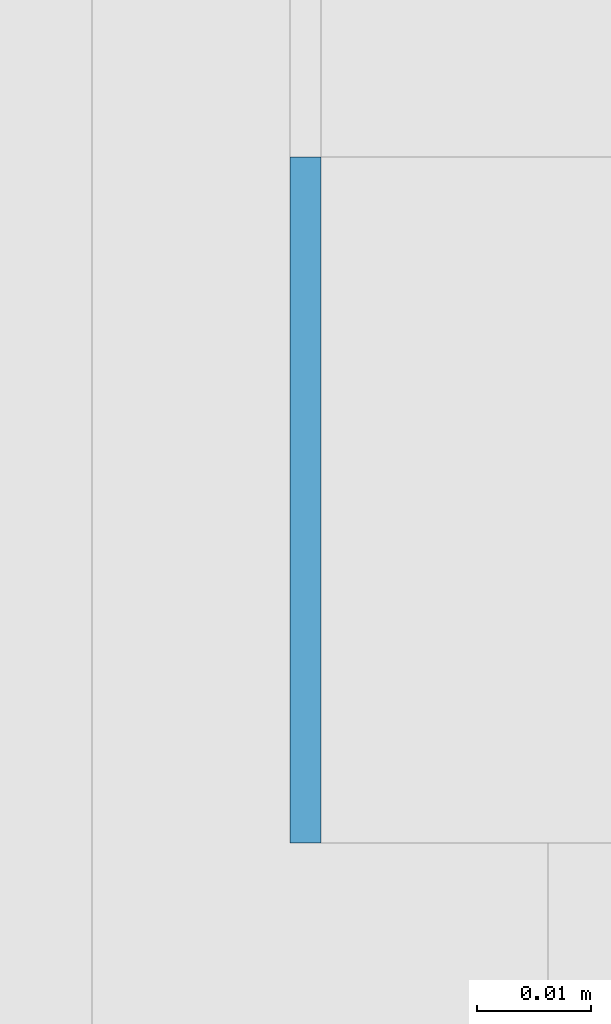
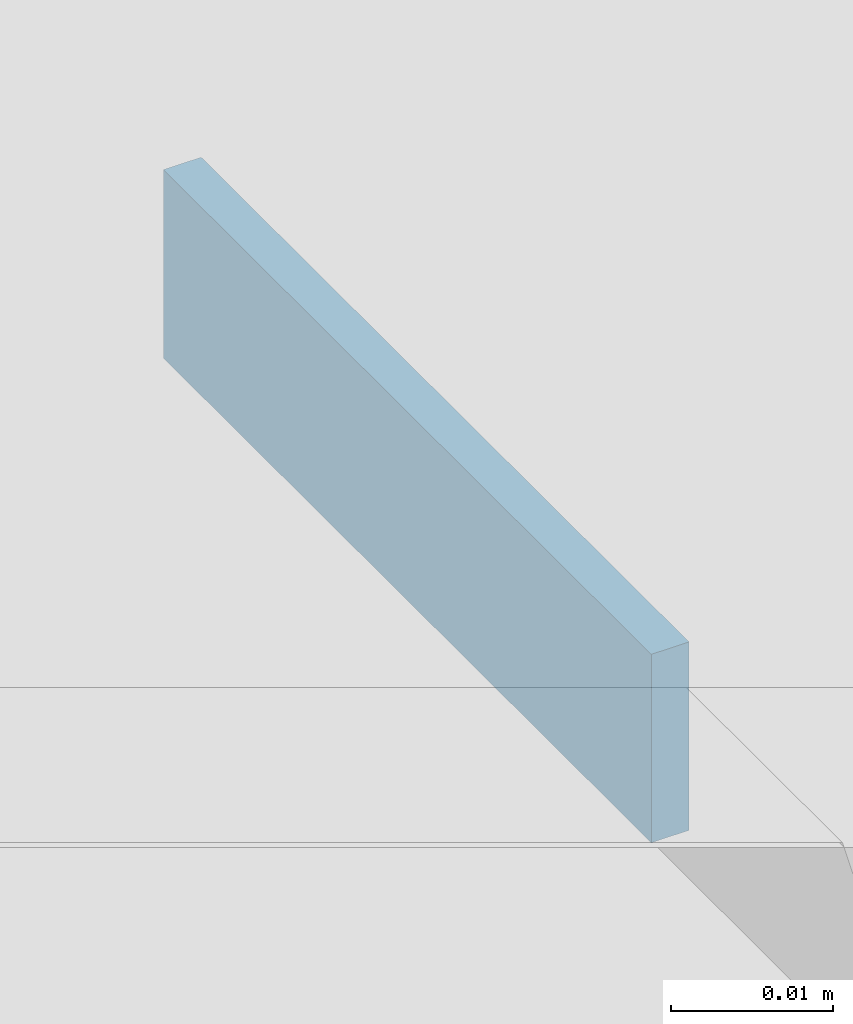
# One storey, part 491 of 646: 1 discrete accessory.
"""IFC4 building model written with IfcOpenShell, lengths in metres."""

from ifc_helpers import new_model, si_unit, direction, frame, origin, origin_2d, place, context, subcontext, project, spatial, rectangle, extrude, material, type_object, element, save


model = new_model("IFC4")

# Units and contexts
model_context = context("Model", 3, precision=1e-05, world=origin(), true_north=direction((0.0, 1.0)))
body_context = subcontext(model_context, "Body", "Model", "MODEL_VIEW")
ifc_project = project(units=[si_unit("LENGTHUNIT", "METRE"), si_unit("AREAUNIT", "SQUARE_METRE"), si_unit("VOLUMEUNIT", "CUBIC_METRE"), si_unit("PLANEANGLEUNIT", "RADIAN"), si_unit("MASSUNIT", "GRAM", prefix="KILO")], contexts=[model_context])

# Site, building, storey
site_placement = place(None, origin())
site = spatial("IfcSite", under=ifc_project, at=site_placement, CompositionType="ELEMENT")
building_placement = place(site_placement, origin())
building = spatial("IfcBuilding", under=site, at=building_placement, Name="Silverbay Arena", CompositionType="ELEMENT")
storey_placement = place(building_placement, frame((0.0, 0.0, 33.5)))
storey = spatial("IfcBuildingStorey", under=building, at=storey_placement, Name="L05", CompositionType="ELEMENT", Elevation=33.5)

# Discrete accessory
ifc_material = material(Name="Steel S355", Category="steel")
discrete_accessory_type = type_object("IfcDiscreteAccessoryType", Name="Steel bracket plate", PredefinedType="BRACKET", material=ifc_material)
discrete_accessory_placement = place(storey_placement, frame((207.128662109375, 62.969970703125, 12.98583984375), z_axis=(0.0, 0.0, 1.0), x_axis=(1.0, 0.0, 0.0)))
element("IfcDiscreteAccessory", 1, at=discrete_accessory_placement, inside=storey, type_object=discrete_accessory_type, Name="Curtain wall packing plate", PredefinedType="BRACKET", context=body_context, shape_type="SweptSolid", body=[
    extrude(rectangle(XDim=0.002685546875, YDim=0.06005859375, at=origin_2d()), origin(), (0.0, 0.0, 1.0), 0.01416015625),
])

save(model, "model.ifc")
